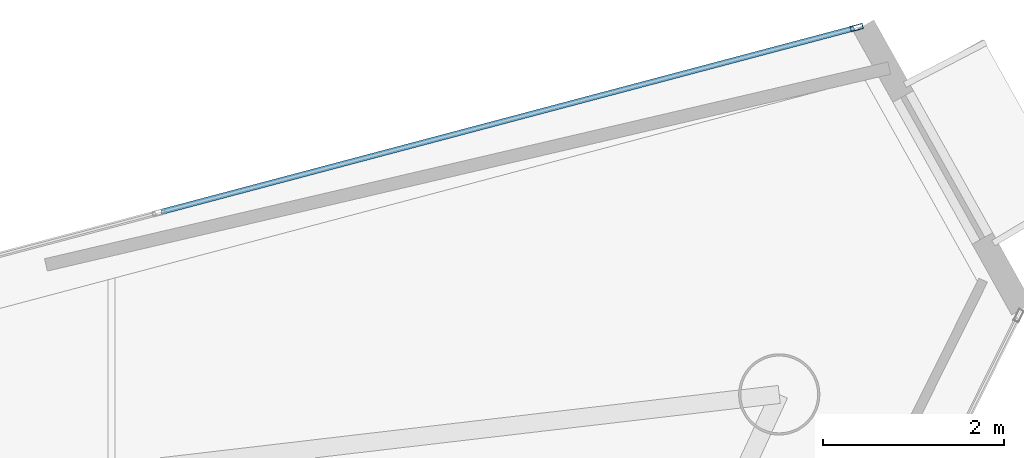
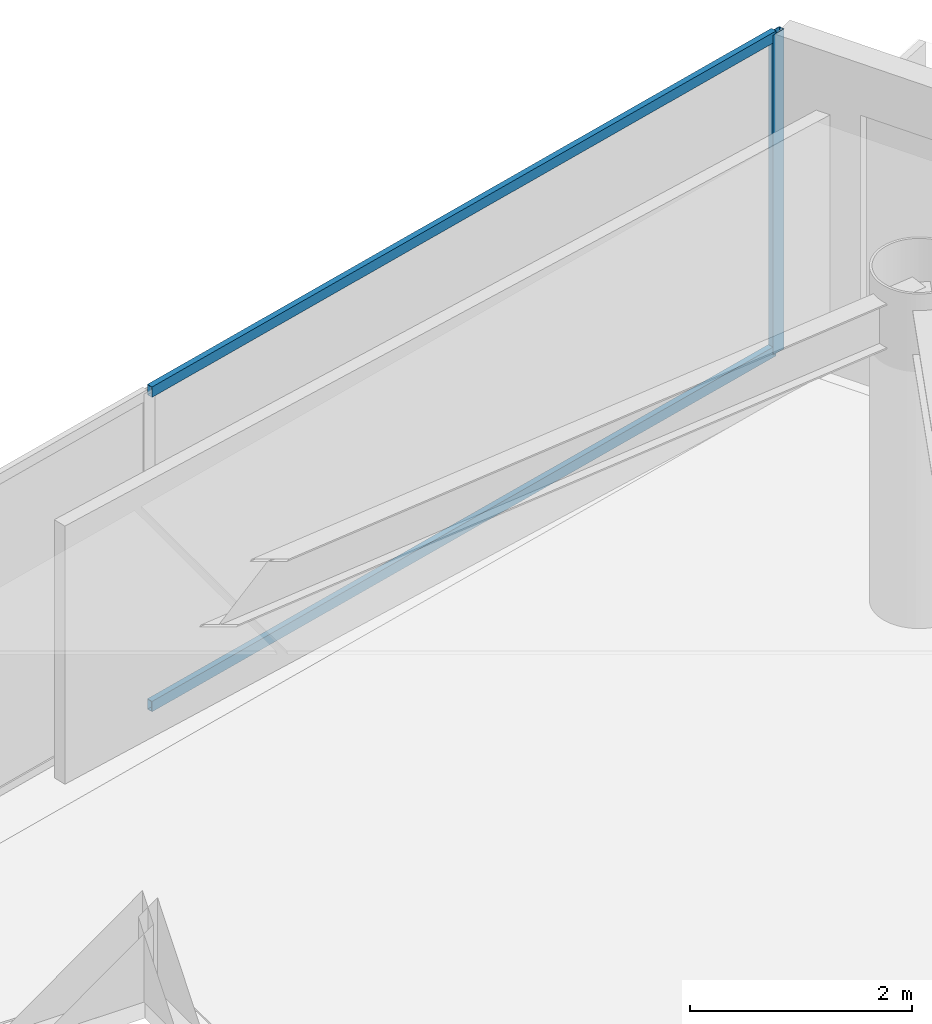
# One storey, part 17 of 23: 3 members, 1 element without a shape of its own.
"""IFC4 building model written with IfcOpenShell, lengths in metres."""

from ifc_helpers import new_model, si_unit, direction, frame, origin, origin_2d, place, context, subcontext, project, spatial, hollow_rectangle, extrude, material, layer, layer_set, material_profile, profile_set, type_object, element, aggregate, save


model = new_model("IFC4")

# Units and contexts
model_context = context("Model", 3, precision=1e-05, world=origin(), true_north=direction((0.0, 1.0)))
body_context = subcontext(model_context, "Body", "Model", "MODEL_VIEW")
ifc_project = project(units=[si_unit("LENGTHUNIT", "METRE"), si_unit("AREAUNIT", "SQUARE_METRE"), si_unit("VOLUMEUNIT", "CUBIC_METRE"), si_unit("PLANEANGLEUNIT", "RADIAN"), si_unit("MASSUNIT", "GRAM", prefix="KILO")], contexts=[model_context])

# Site, building, storey
site_placement = place(None, origin())
site = spatial("IfcSite", under=ifc_project, at=site_placement, CompositionType="ELEMENT")
building_placement = place(site_placement, origin())
building = spatial("IfcBuilding", under=site, at=building_placement, Name="Qianvela Tower", CompositionType="ELEMENT")
storey_placement = place(building_placement, frame((0.0, 0.0, 313.89990234375)))
storey = spatial("IfcBuildingStorey", under=building, at=storey_placement, Name="L81", CompositionType="ELEMENT", Elevation=313.89990234375)

# Curtain wall, members
ifc_material_1 = material(Name="Anodised Architectural Aluminium and Low-E Glass", Category="aluminium")
ifc_layer = layer(ifc_material_1, 0.14990234375)
ifc_layer_set = layer_set([ifc_layer], Name="Anodised Architectural Aluminium and Low-E Glass")
curtain_wall_type = type_object("IfcCurtainWallType", Name="CW-COLIV-Z78", PredefinedType="USERDEFINED", material=ifc_layer_set)
curtain_wall_placement = place(storey_placement, origin())
curtain_wall = element("IfcCurtainWall", 1, at=curtain_wall_placement, inside=storey, type_object=curtain_wall_type, Name="L81 CW-COLIV-Z78 Curtain Wall 02A", ObjectType="CURTAIN_WALL_SYSTEM", PredefinedType="USERDEFINED")
ifc_material_2 = material(Name="Anodised Architectural Aluminium 6063-T6", Category="aluminium")
ifc_material_profile_1 = material_profile(ifc_material_2, hollow_rectangle(XDim=0.06005859375, YDim=0.139892578125, WallThickness=0.00439453125, at=origin_2d()), Name="ALU-MULL-60x140")
ifc_profile_set_1 = profile_set([ifc_material_profile_1], Name="Anodised Architectural Aluminium 6063-T6")
member_type_1 = type_object("IfcMemberType", Name="CW-COLIV-Z78-MULL", PredefinedType="MULLION", material=ifc_profile_set_1)
member_1_placement = place(storey_placement, frame((53.5048828125, 41.19677734375, 0.0), z_axis=(0.0, 0.0, 1.0), x_axis=(0.256236073592, -0.966614232561, 0.0)))
member_1 = element("IfcMember", 2, at=member_1_placement, type_object=member_type_1, Name="CW-6 mullion 1", PredefinedType="MULLION", context=body_context, shape_type="SweptSolid", body=[
    extrude(hollow_rectangle(XDim=0.06005859375, YDim=0.139892578125, WallThickness=0.00439453125, at=origin_2d()), origin(), (0.0, 0.0, 1.0), 3.52001953125),
])
ifc_material_3 = material(Name="Anodised Architectural Aluminium 6063-T6", Category="aluminium")
ifc_material_profile_2 = material_profile(ifc_material_3, hollow_rectangle(XDim=0.06005859375, YDim=0.114990234375, WallThickness=0.00390625, at=origin_2d()), Name="ALU-TRAN-60x115")
ifc_profile_set_2 = profile_set([ifc_material_profile_2], Name="Anodised Architectural Aluminium 6063-T6")
member_type_2 = type_object("IfcMemberType", Name="CW-COLIV-Z78-TRAN", PredefinedType="USERDEFINED", material=ifc_profile_set_2)
member_2_placement = place(storey_placement, frame((53.47607421875, 41.18896484375, 0.030029296875), z_axis=(-0.966615851814, -0.256229965112, 0.0), x_axis=(0.256229965112, -0.966615851814, 0.0)))
member_2 = element("IfcMember", 3, at=member_2_placement, type_object=member_type_2, Name="CW-6 transom 1.1", ObjectType="TRANSOM", PredefinedType="USERDEFINED", context=body_context, shape_type="SweptSolid", body=[
    extrude(hollow_rectangle(XDim=0.06005859375, YDim=0.114990234375, WallThickness=0.00390625, at=origin_2d()), origin(), (0.0, 0.0, 1.0), 7.93505859375),
])
member_3_placement = place(storey_placement, frame((53.47607421875, 41.18896484375, 3.489990234375), z_axis=(-0.966615851814, -0.256229965112, 0.0), x_axis=(0.256229965112, -0.966615851814, 0.0)))
member_3 = element("IfcMember", 4, at=member_3_placement, type_object=member_type_2, Name="CW-6 transom 1.2", ObjectType="TRANSOM", PredefinedType="USERDEFINED", context=body_context, shape_type="SweptSolid", body=[
    extrude(hollow_rectangle(XDim=0.06005859375, YDim=0.114990234375, WallThickness=0.00390625, at=origin_2d()), origin(), (0.0, 0.0, 1.0), 7.93505859375),
])
aggregate(curtain_wall, [member_1, member_2, member_3])

save(model, "model.ifc")
